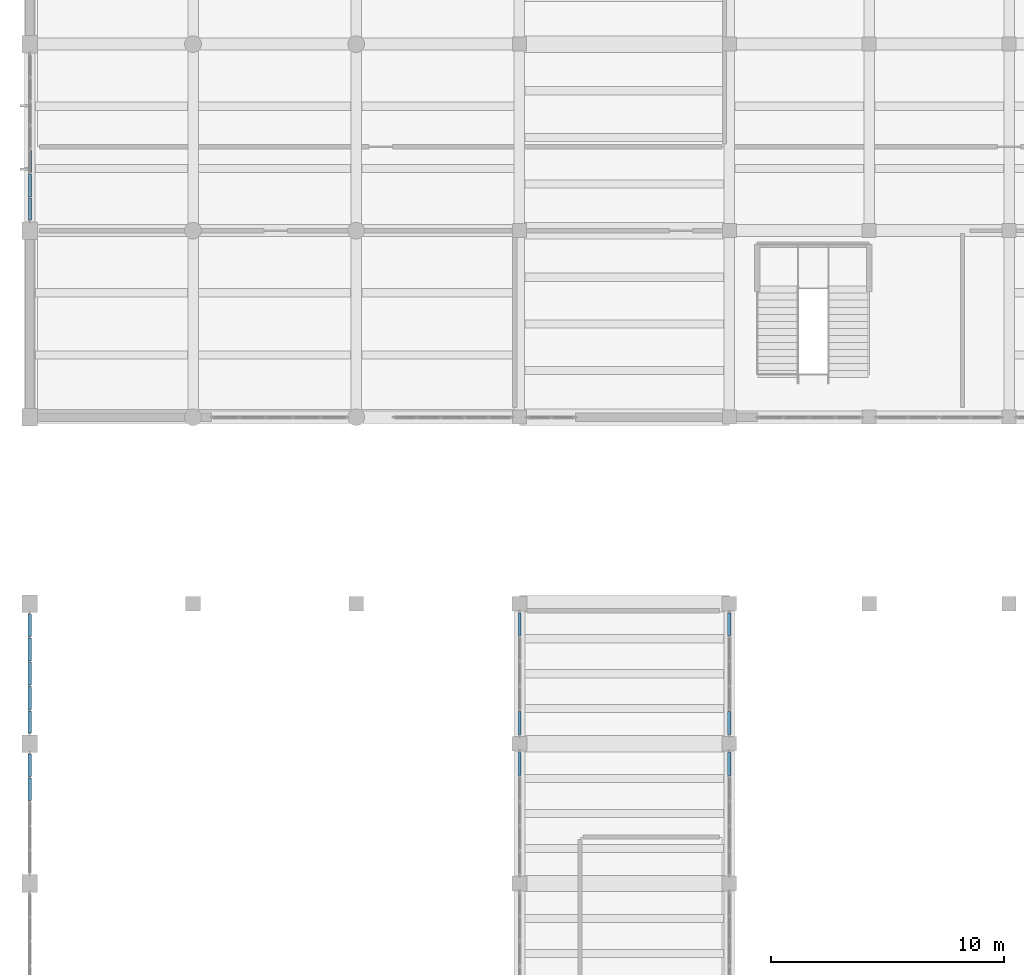
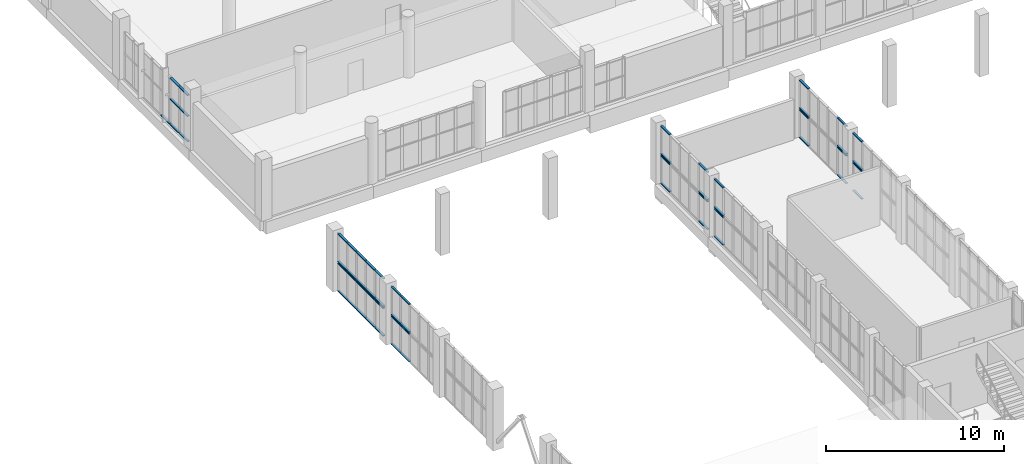
# One storey, part 39 of 85: 59 members, 13 elements without a shape of their own.
"""IFC4 building model written with IfcOpenShell, lengths in metres."""

import ifcopenshell
import ifcopenshell.guid

model = None  # the IFC model being written
_history = None  # IfcOwnerHistory: only IFC2X3 demands one
_inside = {}  # id of a spatial element -> (the spatial element, [elements in it])
_under = {}  # id of a project, library or spatial element -> (it, [spatial elements below it])
_declared = {}  # id of a project -> (the project, [libraries it declares])
_typed = {}  # id of a type object -> (the type object, [elements of that type])
_made_of = {}  # id of a material, layer set ... -> (it, [elements and type objects made of it])


def new_model(schema):
    """Start an empty IFC model of exactly this schema.

    Asked for "IFC4X3", IfcOpenShell would pick the latest addendum, in which some entities
    have other attributes; the version numbers below select the first issue.
    IFC2X3 requires an IfcOwnerHistory on every rooted entity: one is made here for all.
    """
    global model, _history
    if schema == "IFC4X3":
        model = ifcopenshell.file(schema_version=(4, 3, 0, 0))
    else:
        model = ifcopenshell.file(schema=schema)
    _inside.clear()
    _under.clear()
    _declared.clear()
    _typed.clear()
    _made_of.clear()
    _history = None
    if model.schema == "IFC2X3":
        org = make("IfcOrganization", Name="unknown")
        user = make(
            "IfcPersonAndOrganization",
            ThePerson=make("IfcPerson", FamilyName="unknown"),
            TheOrganization=org,
        )
        app = make(
            "IfcApplication",
            ApplicationDeveloper=org,
            Version="unknown",
            ApplicationFullName="unknown",
            ApplicationIdentifier="unknown",
        )
        _history = make(
            "IfcOwnerHistory",
            OwningUser=user,
            OwningApplication=app,
            ChangeAction="ADDED",
            CreationDate=0,
        )
    return model


def make(cls, **values):
    """One entity of the class cls with the attributes given. An attribute that is None is left unset."""
    return model.create_entity(
        cls, **{name: value for name, value in values.items() if value is not None}
    )


def rooted(cls, **values):
    """An entity with a GlobalId (a new one), such as an element, a storey or a relation."""
    return make(cls, GlobalId=ifcopenshell.guid.new(), OwnerHistory=_history, **values)


def si_unit(unit_type, name, prefix=None):
    """IfcSIUnit, for example si_unit("LENGTHUNIT", "METRE", prefix="MILLI")."""
    return make("IfcSIUnit", UnitType=unit_type, Prefix=prefix, Name=name)


def assignment(units):
    """IfcUnitAssignment: the units of a project."""
    return None if units is None else make("IfcUnitAssignment", Units=units)


def point(xyz):
    """IfcCartesianPoint."""
    return None if xyz is None else make("IfcCartesianPoint", Coordinates=xyz)


def direction(xyz):
    """IfcDirection."""
    return None if xyz is None else make("IfcDirection", DirectionRatios=xyz)


def frame(location, z_axis=None, x_axis=None):
    """IfcAxis2Placement3D, a coordinate frame: its origin and axes. An axis left out is left unset."""
    return make(
        "IfcAxis2Placement3D",
        Location=point(location),
        Axis=direction(z_axis),
        RefDirection=direction(x_axis),
    )


def frame_2d(location, x_axis=None):
    """IfcAxis2Placement2D, a coordinate frame in the plane: its origin and x axis."""
    return make(
        "IfcAxis2Placement2D", Location=point(location), RefDirection=direction(x_axis)
    )


def origin():
    """The frame at (0, 0, 0) with its axes left unset."""
    return frame((0.0, 0.0, 0.0))


def origin_2d():
    """The frame at (0, 0) in the plane with its x axis left unset."""
    return frame_2d((0.0, 0.0))


def place(relative_to, where):
    """IfcLocalPlacement: puts the frame where relative to a parent placement (None: the world)."""
    return make(
        "IfcLocalPlacement", PlacementRelTo=relative_to, RelativePlacement=where
    )


def context(
    kind, dimensions, precision=None, world=None, true_north=None, identifier=None
):
    """IfcGeometricRepresentationContext, for example the 3D "Model" context."""
    return make(
        "IfcGeometricRepresentationContext",
        ContextIdentifier=identifier,
        ContextType=kind,
        CoordinateSpaceDimension=dimensions,
        Precision=precision,
        WorldCoordinateSystem=world,
        TrueNorth=true_north,
    )


def subcontext(parent, identifier, kind, view, scale=None):
    """IfcGeometricRepresentationSubContext, for example "Body" below "Model"."""
    return make(
        "IfcGeometricRepresentationSubContext",
        ContextIdentifier=identifier,
        ContextType=kind,
        ParentContext=parent,
        TargetScale=scale,
        TargetView=view,
    )


def project(units=None, contexts=None):
    """IfcProject with its units and contexts."""
    return rooted(
        "IfcProject",
        Name="project",
        RepresentationContexts=contexts,
        UnitsInContext=assignment(units),
    )


def spatial(cls, under=None, at=None, **own):
    """A site, building, storey or space (cls), placed at a placement, below another one or the project."""
    s = rooted(cls, ObjectPlacement=at, **own)
    if under is not None:
        _under.setdefault(under.id(), (under, []))[1].append(s)
    return s


def profile(cls, at=None, kind="AREA", **sizes):
    """A parametric profile (cls). Its sizes go by their IFC names, for example OverallWidth=200.0."""
    return make(cls, ProfileType=kind, Position=at, **sizes)


def rectangle(**sizes):
    """IfcRectangleProfileDef."""
    return profile("IfcRectangleProfileDef", **sizes)


def extrude(swept, where, along, depth):
    """IfcExtrudedAreaSolid: the profile swept, set in the frame where, extruded along a direction by depth."""
    return make(
        "IfcExtrudedAreaSolid",
        SweptArea=swept,
        Position=where,
        ExtrudedDirection=direction(along),
        Depth=depth,
    )


def shape(context_of_items, identifier, shape_type, items):
    """IfcShapeRepresentation: the items that make up one representation, for example the "Body"."""
    return make(
        "IfcShapeRepresentation",
        ContextOfItems=context_of_items,
        RepresentationIdentifier=identifier,
        RepresentationType=shape_type,
        Items=items,
    )


def material(Name=None, Category=None):
    """IfcMaterial."""
    return make("IfcMaterial", Name=Name, Category=Category)


def layer(
    of_material, thickness, ventilated=None, Name=None, Category=None, Priority=None
):
    """IfcMaterialLayer: one layer of a wall or slab, of a material (None: an air gap)."""
    return make(
        "IfcMaterialLayer",
        Material=of_material,
        LayerThickness=thickness,
        IsVentilated=ventilated,
        Name=Name,
        Category=Category,
        Priority=Priority,
    )


def layer_set(layers, Name=None):
    """IfcMaterialLayerSet."""
    return make("IfcMaterialLayerSet", MaterialLayers=layers, LayerSetName=Name)


def material_profile(
    of_material, cross_section, Name=None, Category=None, Priority=None
):
    """IfcMaterialProfile: a cross section and its material."""
    return make(
        "IfcMaterialProfile",
        Name=Name,
        Material=of_material,
        Profile=cross_section,
        Priority=Priority,
        Category=Category,
    )


def profile_set(profiles, Name=None, composite=None):
    """IfcMaterialProfileSet."""
    return make(
        "IfcMaterialProfileSet",
        Name=Name,
        MaterialProfiles=profiles,
        CompositeProfile=composite,
    )


def made_of(thing, what):
    """Note that an element or type object is made of a material, layer set ...; save() writes the relation."""
    if what is not None:
        _made_of.setdefault(what.id(), (what, []))[1].append(thing)
    return thing


def type_object(cls, material=None, **own):
    """A type object (cls), such as IfcWallType, which elements share."""
    return made_of(rooted(cls, **own), material)


def element(
    cls,
    number,
    at=None,
    inside=None,
    cuts=None,
    type_object=None,
    material=None,
    context=None,
    identifier="Body",
    shape_type=None,
    held_by="IfcProductDefinitionShape",
    body=None,
    shapes=None,
    **own,
):
    """One element of the class cls, such as IfcWall. Its Tag is "e" and its number.

    at: its placement. inside: the storey or other place that contains it. cuts: it is an
    opening in that element (IfcRelVoidsElement). A single representation is given by context,
    identifier, shape_type and body (its items); several are given by shapes. held_by: the class
    of the entity that holds the representations. save() writes the other relations.
    """
    e = rooted(cls, Tag="e%d" % number, ObjectPlacement=at, **own)
    if body is not None:
        shapes = [shape(context, identifier, shape_type, body)]
    if shapes is not None:
        e.Representation = make(held_by, Representations=shapes)
    if inside is not None:
        _inside.setdefault(inside.id(), (inside, []))[1].append(e)
    if cuts is not None:
        rooted(
            "IfcRelVoidsElement", RelatingBuildingElement=cuts, RelatedOpeningElement=e
        )
    if type_object is not None:
        _typed.setdefault(type_object.id(), (type_object, []))[1].append(e)
    return made_of(e, material)


def aggregate(whole, parts):
    """IfcRelAggregates: a whole, such as a stair, and the parts it consists of."""
    return rooted("IfcRelAggregates", RelatingObject=whole, RelatedObjects=parts)


def save(model, path):
    """Write the relations noted so far, then the file.

    IfcRelAggregates (storeys below a building ...), IfcRelContainedInSpatialStructure (elements
    in a storey), IfcRelDefinesByType, IfcRelAssociatesMaterial and IfcRelDeclares: one each for
    every whole, place, type object, material and project.
    """
    for whole, parts in _under.values():
        aggregate(whole, parts)
    for where, things in _inside.values():
        rooted(
            "IfcRelContainedInSpatialStructure",
            RelatedElements=things,
            RelatingStructure=where,
        )
    for kind, things in _typed.values():
        rooted("IfcRelDefinesByType", RelatedObjects=things, RelatingType=kind)
    for what, things in _made_of.values():
        rooted("IfcRelAssociatesMaterial", RelatedObjects=things, RelatingMaterial=what)
    for by, libraries in _declared.values():
        rooted("IfcRelDeclares", RelatingContext=by, RelatedDefinitions=libraries)
    model.write(path)


model = new_model("IFC4")

# Units and contexts
model_context = context("Model", 3, precision=1e-05, world=origin(), true_north=direction((0.0, 1.0)))
body_context = subcontext(model_context, "Body", "Model", "MODEL_VIEW")
ifc_project = project(units=[si_unit("LENGTHUNIT", "METRE"), si_unit("AREAUNIT", "SQUARE_METRE"), si_unit("VOLUMEUNIT", "CUBIC_METRE"), si_unit("PLANEANGLEUNIT", "RADIAN"), si_unit("MASSUNIT", "GRAM", prefix="KILO")], contexts=[model_context])

# Site, building, storey
site_placement = place(None, origin())
site = spatial("IfcSite", under=ifc_project, at=site_placement, CompositionType="ELEMENT")
building_placement = place(site_placement, origin())
building = spatial("IfcBuilding", under=site, at=building_placement, Name="Solvane Community Centre", CompositionType="ELEMENT")
storey_placement = place(building_placement, frame((0.0, 0.0, 5.39990234375)))
storey = spatial("IfcBuildingStorey", under=building, at=storey_placement, Name="L01", CompositionType="ELEMENT", Elevation=5.39990234375)

# Curtain wall, members
ifc_material = material(Name="Anodised bronze aluminium AW-6063 T6", Category="aluminium")
ifc_layer_1 = layer(ifc_material, 0.18994140625)
ifc_layer_set_1 = layer_set([ifc_layer_1], Name="Anodised bronze aluminium AW-6063 T6")
curtain_wall_type_1 = type_object("IfcCurtainWallType", Name="Boulevard Bronze Vision Curtain Wall [72x32dm]", PredefinedType="NOTDEFINED", material=ifc_layer_set_1)
curtain_wall_1_placement = place(storey_placement, origin())
curtain_wall_1 = element("IfcCurtainWall", 1, at=curtain_wall_1_placement, inside=storey, type_object=curtain_wall_type_1, Name="Curtain Wall CW-L01-60_944-085", PredefinedType="NOTDEFINED")
ifc_material_profile_1 = material_profile(ifc_material, rectangle(XDim=0.14990234375, YDim=0.06005859375, at=origin_2d()), Name="CW-T 60x150")
ifc_profile_set_1 = profile_set([ifc_material_profile_1], Name="Anodised bronze aluminium AW-6063 T6")
member_type_1 = type_object("IfcMemberType", Name="Boulevard Transom 60x150", PredefinedType="USERDEFINED", material=ifc_profile_set_1)
member_1_placement = place(storey_placement, frame((6.0, 94.455078125, 0.030029296875), z_axis=(0.0, 1.0, 0.0), x_axis=(-1.0, 0.0, 0.0)))
member_1 = element("IfcMember", 2, at=member_1_placement, type_object=member_type_1, Name="CW02-72x32 transom 1.1", ObjectType="TRANSOM", PredefinedType="USERDEFINED", context=body_context, shape_type="SweptSolid", body=[
    extrude(rectangle(XDim=0.14990234375, YDim=0.06005859375, at=origin_2d()), origin(), (0.0, 0.0, 1.0), 0.93994140625),
])
member_2_placement = place(storey_placement, frame((6.0, 94.455078125, 1.774169921875), z_axis=(0.0, 1.0, 0.0), x_axis=(-1.0, 0.0, 0.0)))
member_2 = element("IfcMember", 3, at=member_2_placement, type_object=member_type_1, Name="CW02-72x32 transom 1.2", ObjectType="TRANSOM", PredefinedType="USERDEFINED", context=body_context, shape_type="SweptSolid", body=[
    extrude(rectangle(XDim=0.14990234375, YDim=0.06005859375, at=origin_2d()), origin(), (0.0, 0.0, 1.0), 0.93994140625),
])
member_3_placement = place(storey_placement, frame((6.0, 94.455078125, 3.195068359375), z_axis=(0.0, 1.0, 0.0), x_axis=(-1.0, 0.0, 0.0)))
member_3 = element("IfcMember", 4, at=member_3_placement, type_object=member_type_1, Name="CW02-72x32 transom 1.3", ObjectType="TRANSOM", PredefinedType="USERDEFINED", context=body_context, shape_type="SweptSolid", body=[
    extrude(rectangle(XDim=0.14990234375, YDim=0.06005859375, at=origin_2d()), origin(), (0.0, 0.0, 1.0), 0.93994140625),
])
member_4_placement = place(storey_placement, frame((6.0, 95.455078125, 0.030029296875), z_axis=(0.0, 1.0, 0.0), x_axis=(-1.0, 0.0, 0.0)))
member_4 = element("IfcMember", 5, at=member_4_placement, type_object=member_type_1, Name="CW02-72x32 transom 2.1", ObjectType="TRANSOM", PredefinedType="USERDEFINED", context=body_context, shape_type="SweptSolid", body=[
    extrude(rectangle(XDim=0.14990234375, YDim=0.06005859375, at=origin_2d()), origin(), (0.0, 0.0, 1.0), 0.969970703125),
])
member_5_placement = place(storey_placement, frame((6.0, 95.455078125, 1.774169921875), z_axis=(0.0, 1.0, 0.0), x_axis=(-1.0, 0.0, 0.0)))
member_5 = element("IfcMember", 6, at=member_5_placement, type_object=member_type_1, Name="CW02-72x32 transom 2.2", ObjectType="TRANSOM", PredefinedType="USERDEFINED", context=body_context, shape_type="SweptSolid", body=[
    extrude(rectangle(XDim=0.14990234375, YDim=0.06005859375, at=origin_2d()), origin(), (0.0, 0.0, 1.0), 0.969970703125),
])
member_6_placement = place(storey_placement, frame((6.0, 95.455078125, 3.195068359375), z_axis=(0.0, 1.0, 0.0), x_axis=(-1.0, 0.0, 0.0)))
member_6 = element("IfcMember", 7, at=member_6_placement, type_object=member_type_1, Name="CW02-72x32 transom 2.3", ObjectType="TRANSOM", PredefinedType="USERDEFINED", context=body_context, shape_type="SweptSolid", body=[
    extrude(rectangle(XDim=0.14990234375, YDim=0.06005859375, at=origin_2d()), origin(), (0.0, 0.0, 1.0), 0.969970703125),
])
member_7_placement = place(storey_placement, frame((6.0, 96.485107421875, 0.030029296875), z_axis=(0.0, 1.0, 0.0), x_axis=(-1.0, 0.0, 0.0)))
member_7 = element("IfcMember", 8, at=member_7_placement, type_object=member_type_1, Name="CW02-72x32 transom 3.1", ObjectType="TRANSOM", PredefinedType="USERDEFINED", context=body_context, shape_type="SweptSolid", body=[
    extrude(rectangle(XDim=0.14990234375, YDim=0.06005859375, at=origin_2d()), origin(), (0.0, 0.0, 1.0), 0.969970703125),
])
aggregate(curtain_wall_1, [member_1, member_2, member_3, member_4, member_5, member_6, member_7])

ifc_layer_2 = layer(ifc_material, 0.179931640625)
ifc_layer_set_2 = layer_set([ifc_layer_2], Name="Anodised bronze aluminium AW-6063 T6")
curtain_wall_type_2 = type_object("IfcCurtainWallType", Name="Hall Translucent Upper Curtain Wall [53x19dm]", PredefinedType="NOTDEFINED", material=ifc_layer_set_2)
curtain_wall_2_placement = place(storey_placement, origin())
curtain_wall_2 = element("IfcCurtainWall", 9, at=curtain_wall_2_placement, inside=storey, type_object=curtain_wall_type_2, Name="Curtain Wall CW-L01-360_663-057", PredefinedType="NOTDEFINED")
ifc_material_profile_2 = material_profile(ifc_material, rectangle(XDim=0.139892578125, YDim=0.06005859375, at=origin_2d()), Name="CW-T 60x140")
ifc_profile_set_2 = profile_set([ifc_material_profile_2], Name="Anodised bronze aluminium AW-6063 T6")
member_type_2 = type_object("IfcMemberType", Name="Hall Transom 60x140", PredefinedType="USERDEFINED", material=ifc_profile_set_2)
member_8_placement = place(storey_placement, frame((36.0, 70.632080078125, 0.030029296875), z_axis=(0.0, 1.0, 0.0), x_axis=(-1.0, 0.0, 0.0)))
member_8 = element("IfcMember", 10, at=member_8_placement, type_object=member_type_2, Name="CW01-53x19 transom 5.1", ObjectType="TRANSOM", PredefinedType="USERDEFINED", context=body_context, shape_type="SweptSolid", body=[
    extrude(rectangle(XDim=0.139892578125, YDim=0.06005859375, at=origin_2d()), origin(), (0.0, 0.0, 1.0), 0.97802734375),
])
member_9_placement = place(storey_placement, frame((36.0, 70.632080078125, 1.920166015625), z_axis=(0.0, 1.0, 0.0), x_axis=(-1.0, 0.0, 0.0)))
member_9 = element("IfcMember", 11, at=member_9_placement, type_object=member_type_2, Name="CW01-53x19 transom 5.2", ObjectType="TRANSOM", PredefinedType="USERDEFINED", context=body_context, shape_type="SweptSolid", body=[
    extrude(rectangle(XDim=0.139892578125, YDim=0.06005859375, at=origin_2d()), origin(), (0.0, 0.0, 1.0), 0.97802734375),
])
aggregate(curtain_wall_2, [member_8, member_9])

ifc_layer_3 = layer(ifc_material, 0.179931640625)
ifc_layer_set_3 = layer_set([ifc_layer_3], Name="Anodised bronze aluminium AW-6063 T6")
curtain_wall_type_3 = type_object("IfcCurtainWallType", Name="Hall Translucent Upper Curtain Wall [53x20dm]", PredefinedType="NOTDEFINED", material=ifc_layer_set_3)
curtain_wall_3_placement = place(storey_placement, origin())
curtain_wall_3 = element("IfcCurtainWall", 12, at=curtain_wall_3_placement, inside=storey, type_object=curtain_wall_type_3, Name="Curtain Wall CW-L01-360_663-058", PredefinedType="NOTDEFINED")
member_10_placement = place(storey_placement, frame((36.0, 70.632080078125, 2.050048828125), z_axis=(0.0, 1.0, 0.0), x_axis=(-1.0, 0.0, 0.0)))
member_10 = element("IfcMember", 13, at=member_10_placement, type_object=member_type_2, Name="CW01-53x20 transom 5.1", ObjectType="TRANSOM", PredefinedType="USERDEFINED", context=body_context, shape_type="SweptSolid", body=[
    extrude(rectangle(XDim=0.139892578125, YDim=0.06005859375, at=origin_2d()), origin(), (0.0, 0.0, 1.0), 0.97802734375),
])
member_11_placement = place(storey_placement, frame((36.0, 70.632080078125, 3.9501953125), z_axis=(0.0, 1.0, 0.0), x_axis=(-1.0, 0.0, 0.0)))
member_11 = element("IfcMember", 14, at=member_11_placement, type_object=member_type_2, Name="CW01-53x20 transom 5.2", ObjectType="TRANSOM", PredefinedType="USERDEFINED", context=body_context, shape_type="SweptSolid", body=[
    extrude(rectangle(XDim=0.139892578125, YDim=0.06005859375, at=origin_2d()), origin(), (0.0, 0.0, 1.0), 0.97802734375),
])
aggregate(curtain_wall_3, [member_10, member_11])

ifc_layer_4 = layer(ifc_material, 0.179931640625)
ifc_layer_set_4 = layer_set([ifc_layer_4], Name="Anodised bronze aluminium AW-6063 T6")
curtain_wall_type_4 = type_object("IfcCurtainWallType", Name="Hall Translucent Upper Curtain Wall [52x19dm]", PredefinedType="NOTDEFINED", material=ifc_layer_set_4)
curtain_wall_4_placement = place(storey_placement, origin())
curtain_wall_4 = element("IfcCurtainWall", 15, at=curtain_wall_4_placement, inside=storey, type_object=curtain_wall_type_4, Name="Curtain Wall CW-L01-60_664-061", PredefinedType="NOTDEFINED")
member_12_placement = place(storey_placement, frame((6.0, 69.551025390625, 0.030029296875), z_axis=(0.0, 1.0, 0.0), x_axis=(-1.0, 0.0, 0.0)))
member_12 = element("IfcMember", 16, at=member_12_placement, type_object=member_type_2, Name="CW01-52x19 transom 4.1", ObjectType="TRANSOM", PredefinedType="USERDEFINED", context=body_context, shape_type="SweptSolid", body=[
    extrude(rectangle(XDim=0.139892578125, YDim=0.06005859375, at=origin_2d()), origin(), (0.0, 0.0, 1.0), 0.98193359375),
])
member_13_placement = place(storey_placement, frame((6.0, 69.551025390625, 1.920166015625), z_axis=(0.0, 1.0, 0.0), x_axis=(-1.0, 0.0, 0.0)))
member_13 = element("IfcMember", 17, at=member_13_placement, type_object=member_type_2, Name="CW01-52x19 transom 4.2", ObjectType="TRANSOM", PredefinedType="USERDEFINED", context=body_context, shape_type="SweptSolid", body=[
    extrude(rectangle(XDim=0.139892578125, YDim=0.06005859375, at=origin_2d()), origin(), (0.0, 0.0, 1.0), 0.98193359375),
])
member_14_placement = place(storey_placement, frame((6.0, 70.593017578125, 0.030029296875), z_axis=(0.0, 1.0, 0.0), x_axis=(-1.0, 0.0, 0.0)))
member_14 = element("IfcMember", 18, at=member_14_placement, type_object=member_type_2, Name="CW01-52x19 transom 5.1", ObjectType="TRANSOM", PredefinedType="USERDEFINED", context=body_context, shape_type="SweptSolid", body=[
    extrude(rectangle(XDim=0.139892578125, YDim=0.06005859375, at=origin_2d()), origin(), (0.0, 0.0, 1.0), 0.951904296875),
])
member_15_placement = place(storey_placement, frame((6.0, 70.593017578125, 1.920166015625), z_axis=(0.0, 1.0, 0.0), x_axis=(-1.0, 0.0, 0.0)))
member_15 = element("IfcMember", 19, at=member_15_placement, type_object=member_type_2, Name="CW01-52x19 transom 5.2", ObjectType="TRANSOM", PredefinedType="USERDEFINED", context=body_context, shape_type="SweptSolid", body=[
    extrude(rectangle(XDim=0.139892578125, YDim=0.06005859375, at=origin_2d()), origin(), (0.0, 0.0, 1.0), 0.951904296875),
])
aggregate(curtain_wall_4, [member_12, member_13, member_14, member_15])

ifc_layer_5 = layer(ifc_material, 0.179931640625)
ifc_layer_set_5 = layer_set([ifc_layer_5], Name="Anodised bronze aluminium AW-6063 T6")
curtain_wall_type_5 = type_object("IfcCurtainWallType", Name="Hall Translucent Upper Curtain Wall [52x20dm]", PredefinedType="NOTDEFINED", material=ifc_layer_set_5)
curtain_wall_5_placement = place(storey_placement, origin())
curtain_wall_5 = element("IfcCurtainWall", 20, at=curtain_wall_5_placement, inside=storey, type_object=curtain_wall_type_5, Name="Curtain Wall CW-L01-60_664-062", PredefinedType="NOTDEFINED")
member_16_placement = place(storey_placement, frame((6.0, 69.551025390625, 2.050048828125), z_axis=(0.0, 1.0, 0.0), x_axis=(-1.0, 0.0, 0.0)))
member_16 = element("IfcMember", 21, at=member_16_placement, type_object=member_type_2, Name="CW01-52x20 transom 4.1", ObjectType="TRANSOM", PredefinedType="USERDEFINED", context=body_context, shape_type="SweptSolid", body=[
    extrude(rectangle(XDim=0.139892578125, YDim=0.06005859375, at=origin_2d()), origin(), (0.0, 0.0, 1.0), 0.98193359375),
])
member_17_placement = place(storey_placement, frame((6.0, 69.551025390625, 3.9501953125), z_axis=(0.0, 1.0, 0.0), x_axis=(-1.0, 0.0, 0.0)))
member_17 = element("IfcMember", 22, at=member_17_placement, type_object=member_type_2, Name="CW01-52x20 transom 4.2", ObjectType="TRANSOM", PredefinedType="USERDEFINED", context=body_context, shape_type="SweptSolid", body=[
    extrude(rectangle(XDim=0.139892578125, YDim=0.06005859375, at=origin_2d()), origin(), (0.0, 0.0, 1.0), 0.98193359375),
])
member_18_placement = place(storey_placement, frame((6.0, 70.593017578125, 2.050048828125), z_axis=(0.0, 1.0, 0.0), x_axis=(-1.0, 0.0, 0.0)))
member_18 = element("IfcMember", 23, at=member_18_placement, type_object=member_type_2, Name="CW01-52x20 transom 5.1", ObjectType="TRANSOM", PredefinedType="USERDEFINED", context=body_context, shape_type="SweptSolid", body=[
    extrude(rectangle(XDim=0.139892578125, YDim=0.06005859375, at=origin_2d()), origin(), (0.0, 0.0, 1.0), 0.951904296875),
])
member_19_placement = place(storey_placement, frame((6.0, 70.593017578125, 3.9501953125), z_axis=(0.0, 1.0, 0.0), x_axis=(-1.0, 0.0, 0.0)))
member_19 = element("IfcMember", 24, at=member_19_placement, type_object=member_type_2, Name="CW01-52x20 transom 5.2", ObjectType="TRANSOM", PredefinedType="USERDEFINED", context=body_context, shape_type="SweptSolid", body=[
    extrude(rectangle(XDim=0.139892578125, YDim=0.06005859375, at=origin_2d()), origin(), (0.0, 0.0, 1.0), 0.951904296875),
])
aggregate(curtain_wall_5, [member_16, member_17, member_18, member_19])

curtain_wall_6_placement = place(storey_placement, origin())
curtain_wall_6 = element("IfcCurtainWall", 25, at=curtain_wall_6_placement, inside=storey, type_object=curtain_wall_type_2, Name="Curtain Wall CW-L01-270_717-063", PredefinedType="NOTDEFINED")
member_20_placement = place(storey_placement, frame((27.0, 71.610107421875, 0.030029296875), z_axis=(0.0, -1.0, 0.0), x_axis=(1.0, 0.0, 0.0)))
member_20 = element("IfcMember", 26, at=member_20_placement, type_object=member_type_2, Name="CW01-53x19 transom 1.1", ObjectType="TRANSOM", PredefinedType="USERDEFINED", context=body_context, shape_type="SweptSolid", body=[
    extrude(rectangle(XDim=0.139892578125, YDim=0.06005859375, at=origin_2d()), origin(), (0.0, 0.0, 1.0), 0.97802734375),
])
member_21_placement = place(storey_placement, frame((27.0, 71.610107421875, 1.920166015625), z_axis=(0.0, -1.0, 0.0), x_axis=(1.0, 0.0, 0.0)))
member_21 = element("IfcMember", 27, at=member_21_placement, type_object=member_type_2, Name="CW01-53x19 transom 1.2", ObjectType="TRANSOM", PredefinedType="USERDEFINED", context=body_context, shape_type="SweptSolid", body=[
    extrude(rectangle(XDim=0.139892578125, YDim=0.06005859375, at=origin_2d()), origin(), (0.0, 0.0, 1.0), 0.97802734375),
])
aggregate(curtain_wall_6, [member_20, member_21])

curtain_wall_7_placement = place(storey_placement, origin())
curtain_wall_7 = element("IfcCurtainWall", 28, at=curtain_wall_7_placement, inside=storey, type_object=curtain_wall_type_3, Name="Curtain Wall CW-L01-270_717-064", PredefinedType="NOTDEFINED")
member_22_placement = place(storey_placement, frame((27.0, 71.610107421875, 2.050048828125), z_axis=(0.0, -1.0, 0.0), x_axis=(1.0, 0.0, 0.0)))
member_22 = element("IfcMember", 29, at=member_22_placement, type_object=member_type_2, Name="CW01-53x20 transom 1.1", ObjectType="TRANSOM", PredefinedType="USERDEFINED", context=body_context, shape_type="SweptSolid", body=[
    extrude(rectangle(XDim=0.139892578125, YDim=0.06005859375, at=origin_2d()), origin(), (0.0, 0.0, 1.0), 0.97802734375),
])
member_23_placement = place(storey_placement, frame((27.0, 71.610107421875, 3.9501953125), z_axis=(0.0, -1.0, 0.0), x_axis=(1.0, 0.0, 0.0)))
member_23 = element("IfcMember", 30, at=member_23_placement, type_object=member_type_2, Name="CW01-53x20 transom 1.2", ObjectType="TRANSOM", PredefinedType="USERDEFINED", context=body_context, shape_type="SweptSolid", body=[
    extrude(rectangle(XDim=0.139892578125, YDim=0.06005859375, at=origin_2d()), origin(), (0.0, 0.0, 1.0), 0.97802734375),
])
aggregate(curtain_wall_7, [member_22, member_23])

curtain_wall_8_placement = place(storey_placement, origin())
curtain_wall_8 = element("IfcCurtainWall", 31, at=curtain_wall_8_placement, inside=storey, type_object=curtain_wall_type_2, Name="Curtain Wall CW-L01-360_723-065", PredefinedType="NOTDEFINED")
member_24_placement = place(storey_placement, frame((36.0, 72.389892578125, 0.030029296875), z_axis=(0.0, 1.0, 0.0), x_axis=(-1.0, 0.0, 0.0)))
member_24 = element("IfcMember", 32, at=member_24_placement, type_object=member_type_2, Name="CW01-53x19 transom 1.1", ObjectType="TRANSOM", PredefinedType="USERDEFINED", context=body_context, shape_type="SweptSolid", body=[
    extrude(rectangle(XDim=0.139892578125, YDim=0.06005859375, at=origin_2d()), origin(), (0.0, 0.0, 1.0), 0.97802734375),
])
member_25_placement = place(storey_placement, frame((36.0, 72.389892578125, 1.920166015625), z_axis=(0.0, 1.0, 0.0), x_axis=(-1.0, 0.0, 0.0)))
member_25 = element("IfcMember", 33, at=member_25_placement, type_object=member_type_2, Name="CW01-53x19 transom 1.2", ObjectType="TRANSOM", PredefinedType="USERDEFINED", context=body_context, shape_type="SweptSolid", body=[
    extrude(rectangle(XDim=0.139892578125, YDim=0.06005859375, at=origin_2d()), origin(), (0.0, 0.0, 1.0), 0.97802734375),
])
member_26_placement = place(storey_placement, frame((36.0, 76.632080078125, 0.030029296875), z_axis=(0.0, 1.0, 0.0), x_axis=(-1.0, 0.0, 0.0)))
member_26 = element("IfcMember", 34, at=member_26_placement, type_object=member_type_2, Name="CW01-53x19 transom 5.1", ObjectType="TRANSOM", PredefinedType="USERDEFINED", context=body_context, shape_type="SweptSolid", body=[
    extrude(rectangle(XDim=0.139892578125, YDim=0.06005859375, at=origin_2d()), origin(), (0.0, 0.0, 1.0), 0.97802734375),
])
member_27_placement = place(storey_placement, frame((36.0, 76.632080078125, 1.920166015625), z_axis=(0.0, 1.0, 0.0), x_axis=(-1.0, 0.0, 0.0)))
member_27 = element("IfcMember", 35, at=member_27_placement, type_object=member_type_2, Name="CW01-53x19 transom 5.2", ObjectType="TRANSOM", PredefinedType="USERDEFINED", context=body_context, shape_type="SweptSolid", body=[
    extrude(rectangle(XDim=0.139892578125, YDim=0.06005859375, at=origin_2d()), origin(), (0.0, 0.0, 1.0), 0.97802734375),
])
aggregate(curtain_wall_8, [member_24, member_25, member_26, member_27])

curtain_wall_9_placement = place(storey_placement, origin())
curtain_wall_9 = element("IfcCurtainWall", 36, at=curtain_wall_9_placement, inside=storey, type_object=curtain_wall_type_3, Name="Curtain Wall CW-L01-360_723-066", PredefinedType="NOTDEFINED")
member_28_placement = place(storey_placement, frame((36.0, 72.389892578125, 2.050048828125), z_axis=(0.0, 1.0, 0.0), x_axis=(-1.0, 0.0, 0.0)))
member_28 = element("IfcMember", 37, at=member_28_placement, type_object=member_type_2, Name="CW01-53x20 transom 1.1", ObjectType="TRANSOM", PredefinedType="USERDEFINED", context=body_context, shape_type="SweptSolid", body=[
    extrude(rectangle(XDim=0.139892578125, YDim=0.06005859375, at=origin_2d()), origin(), (0.0, 0.0, 1.0), 0.97802734375),
])
member_29_placement = place(storey_placement, frame((36.0, 72.389892578125, 3.9501953125), z_axis=(0.0, 1.0, 0.0), x_axis=(-1.0, 0.0, 0.0)))
member_29 = element("IfcMember", 38, at=member_29_placement, type_object=member_type_2, Name="CW01-53x20 transom 1.2", ObjectType="TRANSOM", PredefinedType="USERDEFINED", context=body_context, shape_type="SweptSolid", body=[
    extrude(rectangle(XDim=0.139892578125, YDim=0.06005859375, at=origin_2d()), origin(), (0.0, 0.0, 1.0), 0.97802734375),
])
member_30_placement = place(storey_placement, frame((36.0, 76.632080078125, 2.050048828125), z_axis=(0.0, 1.0, 0.0), x_axis=(-1.0, 0.0, 0.0)))
member_30 = element("IfcMember", 39, at=member_30_placement, type_object=member_type_2, Name="CW01-53x20 transom 5.1", ObjectType="TRANSOM", PredefinedType="USERDEFINED", context=body_context, shape_type="SweptSolid", body=[
    extrude(rectangle(XDim=0.139892578125, YDim=0.06005859375, at=origin_2d()), origin(), (0.0, 0.0, 1.0), 0.97802734375),
])
member_31_placement = place(storey_placement, frame((36.0, 76.632080078125, 3.9501953125), z_axis=(0.0, 1.0, 0.0), x_axis=(-1.0, 0.0, 0.0)))
member_31 = element("IfcMember", 40, at=member_31_placement, type_object=member_type_2, Name="CW01-53x20 transom 5.2", ObjectType="TRANSOM", PredefinedType="USERDEFINED", context=body_context, shape_type="SweptSolid", body=[
    extrude(rectangle(XDim=0.139892578125, YDim=0.06005859375, at=origin_2d()), origin(), (0.0, 0.0, 1.0), 0.97802734375),
])
aggregate(curtain_wall_9, [member_28, member_29, member_30, member_31])

curtain_wall_10_placement = place(storey_placement, origin())
curtain_wall_10 = element("IfcCurtainWall", 41, at=curtain_wall_10_placement, inside=storey, type_object=curtain_wall_type_4, Name="Curtain Wall CW-L01-60_724-069", PredefinedType="NOTDEFINED")
member_32_placement = place(storey_placement, frame((6.0, 72.455078125, 0.030029296875), z_axis=(0.0, 1.0, 0.0), x_axis=(-1.0, 0.0, 0.0)))
member_32 = element("IfcMember", 42, at=member_32_placement, type_object=member_type_2, Name="CW01-52x19 transom 1.1", ObjectType="TRANSOM", PredefinedType="USERDEFINED", context=body_context, shape_type="SweptSolid", body=[
    extrude(rectangle(XDim=0.139892578125, YDim=0.06005859375, at=origin_2d()), origin(), (0.0, 0.0, 1.0), 0.951904296875),
])
member_33_placement = place(storey_placement, frame((6.0, 72.455078125, 1.920166015625), z_axis=(0.0, 1.0, 0.0), x_axis=(-1.0, 0.0, 0.0)))
member_33 = element("IfcMember", 43, at=member_33_placement, type_object=member_type_2, Name="CW01-52x19 transom 1.2", ObjectType="TRANSOM", PredefinedType="USERDEFINED", context=body_context, shape_type="SweptSolid", body=[
    extrude(rectangle(XDim=0.139892578125, YDim=0.06005859375, at=origin_2d()), origin(), (0.0, 0.0, 1.0), 0.951904296875),
])
member_34_placement = place(storey_placement, frame((6.0, 73.467041015625, 0.030029296875), z_axis=(0.0, 1.0, 0.0), x_axis=(-1.0, 0.0, 0.0)))
member_34 = element("IfcMember", 44, at=member_34_placement, type_object=member_type_2, Name="CW01-52x19 transom 2.1", ObjectType="TRANSOM", PredefinedType="USERDEFINED", context=body_context, shape_type="SweptSolid", body=[
    extrude(rectangle(XDim=0.139892578125, YDim=0.06005859375, at=origin_2d()), origin(), (0.0, 0.0, 1.0), 0.98193359375),
])
member_35_placement = place(storey_placement, frame((6.0, 73.467041015625, 1.920166015625), z_axis=(0.0, 1.0, 0.0), x_axis=(-1.0, 0.0, 0.0)))
member_35 = element("IfcMember", 45, at=member_35_placement, type_object=member_type_2, Name="CW01-52x19 transom 2.2", ObjectType="TRANSOM", PredefinedType="USERDEFINED", context=body_context, shape_type="SweptSolid", body=[
    extrude(rectangle(XDim=0.139892578125, YDim=0.06005859375, at=origin_2d()), origin(), (0.0, 0.0, 1.0), 0.98193359375),
])
member_36_placement = place(storey_placement, frame((6.0, 74.509033203125, 0.030029296875), z_axis=(0.0, 1.0, 0.0), x_axis=(-1.0, 0.0, 0.0)))
member_36 = element("IfcMember", 46, at=member_36_placement, type_object=member_type_2, Name="CW01-52x19 transom 3.1", ObjectType="TRANSOM", PredefinedType="USERDEFINED", context=body_context, shape_type="SweptSolid", body=[
    extrude(rectangle(XDim=0.139892578125, YDim=0.06005859375, at=origin_2d()), origin(), (0.0, 0.0, 1.0), 0.98193359375),
])
member_37_placement = place(storey_placement, frame((6.0, 74.509033203125, 1.920166015625), z_axis=(0.0, 1.0, 0.0), x_axis=(-1.0, 0.0, 0.0)))
member_37 = element("IfcMember", 47, at=member_37_placement, type_object=member_type_2, Name="CW01-52x19 transom 3.2", ObjectType="TRANSOM", PredefinedType="USERDEFINED", context=body_context, shape_type="SweptSolid", body=[
    extrude(rectangle(XDim=0.139892578125, YDim=0.06005859375, at=origin_2d()), origin(), (0.0, 0.0, 1.0), 0.98193359375),
])
member_38_placement = place(storey_placement, frame((6.0, 75.551025390625, 0.030029296875), z_axis=(0.0, 1.0, 0.0), x_axis=(-1.0, 0.0, 0.0)))
member_38 = element("IfcMember", 48, at=member_38_placement, type_object=member_type_2, Name="CW01-52x19 transom 4.1", ObjectType="TRANSOM", PredefinedType="USERDEFINED", context=body_context, shape_type="SweptSolid", body=[
    extrude(rectangle(XDim=0.139892578125, YDim=0.06005859375, at=origin_2d()), origin(), (0.0, 0.0, 1.0), 0.98193359375),
])
member_39_placement = place(storey_placement, frame((6.0, 75.551025390625, 1.920166015625), z_axis=(0.0, 1.0, 0.0), x_axis=(-1.0, 0.0, 0.0)))
member_39 = element("IfcMember", 49, at=member_39_placement, type_object=member_type_2, Name="CW01-52x19 transom 4.2", ObjectType="TRANSOM", PredefinedType="USERDEFINED", context=body_context, shape_type="SweptSolid", body=[
    extrude(rectangle(XDim=0.139892578125, YDim=0.06005859375, at=origin_2d()), origin(), (0.0, 0.0, 1.0), 0.98193359375),
])
member_40_placement = place(storey_placement, frame((6.0, 76.593017578125, 0.030029296875), z_axis=(0.0, 1.0, 0.0), x_axis=(-1.0, 0.0, 0.0)))
member_40 = element("IfcMember", 50, at=member_40_placement, type_object=member_type_2, Name="CW01-52x19 transom 5.1", ObjectType="TRANSOM", PredefinedType="USERDEFINED", context=body_context, shape_type="SweptSolid", body=[
    extrude(rectangle(XDim=0.139892578125, YDim=0.06005859375, at=origin_2d()), origin(), (0.0, 0.0, 1.0), 0.951904296875),
])
member_41_placement = place(storey_placement, frame((6.0, 76.593017578125, 1.920166015625), z_axis=(0.0, 1.0, 0.0), x_axis=(-1.0, 0.0, 0.0)))
member_41 = element("IfcMember", 51, at=member_41_placement, type_object=member_type_2, Name="CW01-52x19 transom 5.2", ObjectType="TRANSOM", PredefinedType="USERDEFINED", context=body_context, shape_type="SweptSolid", body=[
    extrude(rectangle(XDim=0.139892578125, YDim=0.06005859375, at=origin_2d()), origin(), (0.0, 0.0, 1.0), 0.951904296875),
])
aggregate(curtain_wall_10, [member_32, member_33, member_34, member_35, member_36, member_37, member_38, member_39, member_40, member_41])

curtain_wall_11_placement = place(storey_placement, origin())
curtain_wall_11 = element("IfcCurtainWall", 52, at=curtain_wall_11_placement, inside=storey, type_object=curtain_wall_type_5, Name="Curtain Wall CW-L01-60_724-070", PredefinedType="NOTDEFINED")
member_42_placement = place(storey_placement, frame((6.0, 72.455078125, 2.050048828125), z_axis=(0.0, 1.0, 0.0), x_axis=(-1.0, 0.0, 0.0)))
member_42 = element("IfcMember", 53, at=member_42_placement, type_object=member_type_2, Name="CW01-52x20 transom 1.1", ObjectType="TRANSOM", PredefinedType="USERDEFINED", context=body_context, shape_type="SweptSolid", body=[
    extrude(rectangle(XDim=0.139892578125, YDim=0.06005859375, at=origin_2d()), origin(), (0.0, 0.0, 1.0), 0.951904296875),
])
member_43_placement = place(storey_placement, frame((6.0, 72.455078125, 3.9501953125), z_axis=(0.0, 1.0, 0.0), x_axis=(-1.0, 0.0, 0.0)))
member_43 = element("IfcMember", 54, at=member_43_placement, type_object=member_type_2, Name="CW01-52x20 transom 1.2", ObjectType="TRANSOM", PredefinedType="USERDEFINED", context=body_context, shape_type="SweptSolid", body=[
    extrude(rectangle(XDim=0.139892578125, YDim=0.06005859375, at=origin_2d()), origin(), (0.0, 0.0, 1.0), 0.951904296875),
])
member_44_placement = place(storey_placement, frame((6.0, 73.467041015625, 2.050048828125), z_axis=(0.0, 1.0, 0.0), x_axis=(-1.0, 0.0, 0.0)))
member_44 = element("IfcMember", 55, at=member_44_placement, type_object=member_type_2, Name="CW01-52x20 transom 2.1", ObjectType="TRANSOM", PredefinedType="USERDEFINED", context=body_context, shape_type="SweptSolid", body=[
    extrude(rectangle(XDim=0.139892578125, YDim=0.06005859375, at=origin_2d()), origin(), (0.0, 0.0, 1.0), 0.98193359375),
])
member_45_placement = place(storey_placement, frame((6.0, 73.467041015625, 3.9501953125), z_axis=(0.0, 1.0, 0.0), x_axis=(-1.0, 0.0, 0.0)))
member_45 = element("IfcMember", 56, at=member_45_placement, type_object=member_type_2, Name="CW01-52x20 transom 2.2", ObjectType="TRANSOM", PredefinedType="USERDEFINED", context=body_context, shape_type="SweptSolid", body=[
    extrude(rectangle(XDim=0.139892578125, YDim=0.06005859375, at=origin_2d()), origin(), (0.0, 0.0, 1.0), 0.98193359375),
])
member_46_placement = place(storey_placement, frame((6.0, 74.509033203125, 2.050048828125), z_axis=(0.0, 1.0, 0.0), x_axis=(-1.0, 0.0, 0.0)))
member_46 = element("IfcMember", 57, at=member_46_placement, type_object=member_type_2, Name="CW01-52x20 transom 3.1", ObjectType="TRANSOM", PredefinedType="USERDEFINED", context=body_context, shape_type="SweptSolid", body=[
    extrude(rectangle(XDim=0.139892578125, YDim=0.06005859375, at=origin_2d()), origin(), (0.0, 0.0, 1.0), 0.98193359375),
])
member_47_placement = place(storey_placement, frame((6.0, 74.509033203125, 3.9501953125), z_axis=(0.0, 1.0, 0.0), x_axis=(-1.0, 0.0, 0.0)))
member_47 = element("IfcMember", 58, at=member_47_placement, type_object=member_type_2, Name="CW01-52x20 transom 3.2", ObjectType="TRANSOM", PredefinedType="USERDEFINED", context=body_context, shape_type="SweptSolid", body=[
    extrude(rectangle(XDim=0.139892578125, YDim=0.06005859375, at=origin_2d()), origin(), (0.0, 0.0, 1.0), 0.98193359375),
])
member_48_placement = place(storey_placement, frame((6.0, 75.551025390625, 2.050048828125), z_axis=(0.0, 1.0, 0.0), x_axis=(-1.0, 0.0, 0.0)))
member_48 = element("IfcMember", 59, at=member_48_placement, type_object=member_type_2, Name="CW01-52x20 transom 4.1", ObjectType="TRANSOM", PredefinedType="USERDEFINED", context=body_context, shape_type="SweptSolid", body=[
    extrude(rectangle(XDim=0.139892578125, YDim=0.06005859375, at=origin_2d()), origin(), (0.0, 0.0, 1.0), 0.98193359375),
])
member_49_placement = place(storey_placement, frame((6.0, 75.551025390625, 3.9501953125), z_axis=(0.0, 1.0, 0.0), x_axis=(-1.0, 0.0, 0.0)))
member_49 = element("IfcMember", 60, at=member_49_placement, type_object=member_type_2, Name="CW01-52x20 transom 4.2", ObjectType="TRANSOM", PredefinedType="USERDEFINED", context=body_context, shape_type="SweptSolid", body=[
    extrude(rectangle(XDim=0.139892578125, YDim=0.06005859375, at=origin_2d()), origin(), (0.0, 0.0, 1.0), 0.98193359375),
])
member_50_placement = place(storey_placement, frame((6.0, 76.593017578125, 2.050048828125), z_axis=(0.0, 1.0, 0.0), x_axis=(-1.0, 0.0, 0.0)))
member_50 = element("IfcMember", 61, at=member_50_placement, type_object=member_type_2, Name="CW01-52x20 transom 5.1", ObjectType="TRANSOM", PredefinedType="USERDEFINED", context=body_context, shape_type="SweptSolid", body=[
    extrude(rectangle(XDim=0.139892578125, YDim=0.06005859375, at=origin_2d()), origin(), (0.0, 0.0, 1.0), 0.951904296875),
])
member_51_placement = place(storey_placement, frame((6.0, 76.593017578125, 3.9501953125), z_axis=(0.0, 1.0, 0.0), x_axis=(-1.0, 0.0, 0.0)))
member_51 = element("IfcMember", 62, at=member_51_placement, type_object=member_type_2, Name="CW01-52x20 transom 5.2", ObjectType="TRANSOM", PredefinedType="USERDEFINED", context=body_context, shape_type="SweptSolid", body=[
    extrude(rectangle(XDim=0.139892578125, YDim=0.06005859375, at=origin_2d()), origin(), (0.0, 0.0, 1.0), 0.951904296875),
])
aggregate(curtain_wall_11, [member_42, member_43, member_44, member_45, member_46, member_47, member_48, member_49, member_50, member_51])

curtain_wall_12_placement = place(storey_placement, origin())
curtain_wall_12 = element("IfcCurtainWall", 63, at=curtain_wall_12_placement, inside=storey, type_object=curtain_wall_type_2, Name="Curtain Wall CW-L01-270_777-071", PredefinedType="NOTDEFINED")
member_52_placement = place(storey_placement, frame((27.0, 77.610107421875, 0.030029296875), z_axis=(0.0, -1.0, 0.0), x_axis=(1.0, 0.0, 0.0)))
member_52 = element("IfcMember", 64, at=member_52_placement, type_object=member_type_2, Name="CW01-53x19 transom 1.1", ObjectType="TRANSOM", PredefinedType="USERDEFINED", context=body_context, shape_type="SweptSolid", body=[
    extrude(rectangle(XDim=0.139892578125, YDim=0.06005859375, at=origin_2d()), origin(), (0.0, 0.0, 1.0), 0.97802734375),
])
member_53_placement = place(storey_placement, frame((27.0, 77.610107421875, 1.920166015625), z_axis=(0.0, -1.0, 0.0), x_axis=(1.0, 0.0, 0.0)))
member_53 = element("IfcMember", 65, at=member_53_placement, type_object=member_type_2, Name="CW01-53x19 transom 1.2", ObjectType="TRANSOM", PredefinedType="USERDEFINED", context=body_context, shape_type="SweptSolid", body=[
    extrude(rectangle(XDim=0.139892578125, YDim=0.06005859375, at=origin_2d()), origin(), (0.0, 0.0, 1.0), 0.97802734375),
])
member_54_placement = place(storey_placement, frame((27.0, 73.367919921875, 0.030029296875), z_axis=(0.0, -1.0, 0.0), x_axis=(1.0, 0.0, 0.0)))
member_54 = element("IfcMember", 66, at=member_54_placement, type_object=member_type_2, Name="CW01-53x19 transom 5.1", ObjectType="TRANSOM", PredefinedType="USERDEFINED", context=body_context, shape_type="SweptSolid", body=[
    extrude(rectangle(XDim=0.139892578125, YDim=0.06005859375, at=origin_2d()), origin(), (0.0, 0.0, 1.0), 0.97802734375),
])
member_55_placement = place(storey_placement, frame((27.0, 73.367919921875, 1.920166015625), z_axis=(0.0, -1.0, 0.0), x_axis=(1.0, 0.0, 0.0)))
member_55 = element("IfcMember", 67, at=member_55_placement, type_object=member_type_2, Name="CW01-53x19 transom 5.2", ObjectType="TRANSOM", PredefinedType="USERDEFINED", context=body_context, shape_type="SweptSolid", body=[
    extrude(rectangle(XDim=0.139892578125, YDim=0.06005859375, at=origin_2d()), origin(), (0.0, 0.0, 1.0), 0.97802734375),
])
aggregate(curtain_wall_12, [member_52, member_53, member_54, member_55])

curtain_wall_13_placement = place(storey_placement, origin())
curtain_wall_13 = element("IfcCurtainWall", 68, at=curtain_wall_13_placement, inside=storey, type_object=curtain_wall_type_3, Name="Curtain Wall CW-L01-270_777-072", PredefinedType="NOTDEFINED")
member_56_placement = place(storey_placement, frame((27.0, 77.610107421875, 2.050048828125), z_axis=(0.0, -1.0, 0.0), x_axis=(1.0, 0.0, 0.0)))
member_56 = element("IfcMember", 69, at=member_56_placement, type_object=member_type_2, Name="CW01-53x20 transom 1.1", ObjectType="TRANSOM", PredefinedType="USERDEFINED", context=body_context, shape_type="SweptSolid", body=[
    extrude(rectangle(XDim=0.139892578125, YDim=0.06005859375, at=origin_2d()), origin(), (0.0, 0.0, 1.0), 0.97802734375),
])
member_57_placement = place(storey_placement, frame((27.0, 77.610107421875, 3.9501953125), z_axis=(0.0, -1.0, 0.0), x_axis=(1.0, 0.0, 0.0)))
member_57 = element("IfcMember", 70, at=member_57_placement, type_object=member_type_2, Name="CW01-53x20 transom 1.2", ObjectType="TRANSOM", PredefinedType="USERDEFINED", context=body_context, shape_type="SweptSolid", body=[
    extrude(rectangle(XDim=0.139892578125, YDim=0.06005859375, at=origin_2d()), origin(), (0.0, 0.0, 1.0), 0.97802734375),
])
member_58_placement = place(storey_placement, frame((27.0, 73.367919921875, 2.050048828125), z_axis=(0.0, -1.0, 0.0), x_axis=(1.0, 0.0, 0.0)))
member_58 = element("IfcMember", 71, at=member_58_placement, type_object=member_type_2, Name="CW01-53x20 transom 5.1", ObjectType="TRANSOM", PredefinedType="USERDEFINED", context=body_context, shape_type="SweptSolid", body=[
    extrude(rectangle(XDim=0.139892578125, YDim=0.06005859375, at=origin_2d()), origin(), (0.0, 0.0, 1.0), 0.97802734375),
])
member_59_placement = place(storey_placement, frame((27.0, 73.367919921875, 3.9501953125), z_axis=(0.0, -1.0, 0.0), x_axis=(1.0, 0.0, 0.0)))
member_59 = element("IfcMember", 72, at=member_59_placement, type_object=member_type_2, Name="CW01-53x20 transom 5.2", ObjectType="TRANSOM", PredefinedType="USERDEFINED", context=body_context, shape_type="SweptSolid", body=[
    extrude(rectangle(XDim=0.139892578125, YDim=0.06005859375, at=origin_2d()), origin(), (0.0, 0.0, 1.0), 0.97802734375),
])
aggregate(curtain_wall_13, [member_56, member_57, member_58, member_59])

save(model, "model.ifc")
